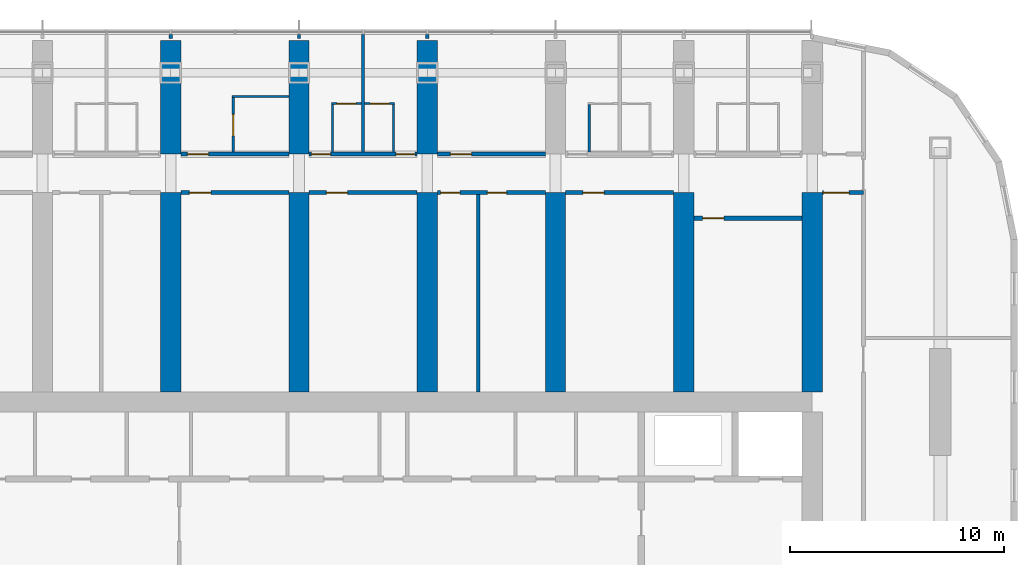
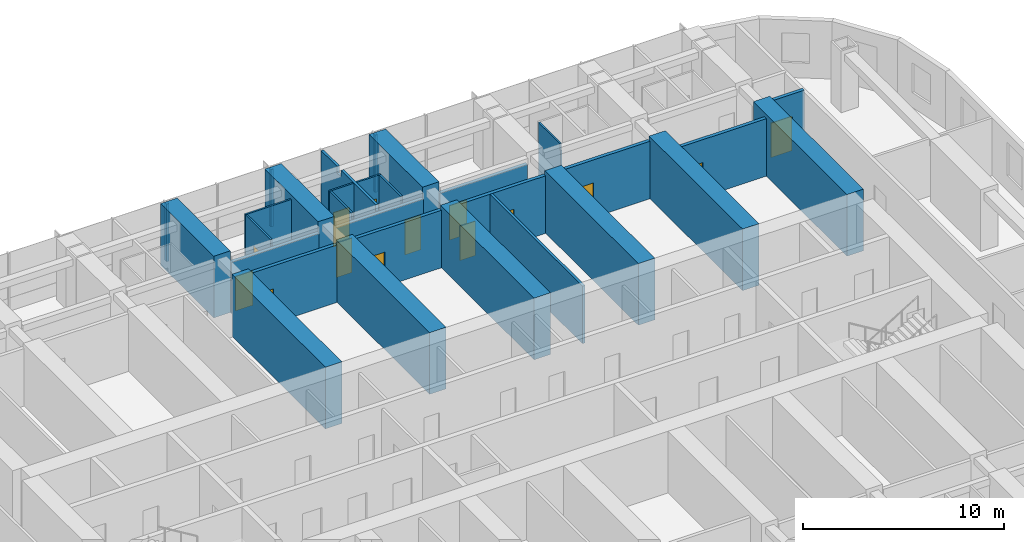
# One storey, part 14 of 21: 30 walls, 14 doors, 14 openings.
"""IFC4 building model written with IfcOpenShell, lengths in metres."""

from ifc_helpers import new_model, si_unit, direction, frame, frame_2d, origin, place, context, subcontext, project, spatial, polyline, rectangle, outline, extrude, material, layer, layer_set, type_object, element, fill, save


model = new_model("IFC4")

# Units and contexts
model_context = context("Model", 3, precision=1e-05, world=origin(), true_north=direction((0.0, 1.0)))
body_context = subcontext(model_context, "Body", "Model", "MODEL_VIEW")
ifc_project = project(units=[si_unit("LENGTHUNIT", "METRE"), si_unit("AREAUNIT", "SQUARE_METRE"), si_unit("VOLUMEUNIT", "CUBIC_METRE"), si_unit("PLANEANGLEUNIT", "RADIAN"), si_unit("MASSUNIT", "GRAM", prefix="KILO")], contexts=[model_context])

# Site, building, storey
site_placement = place(None, origin())
site = spatial("IfcSite", under=ifc_project, at=site_placement, CompositionType="ELEMENT")
building_placement = place(site_placement, origin())
building = spatial("IfcBuilding", under=site, at=building_placement, Name="Orbita Commons", CompositionType="ELEMENT")
storey_placement = place(building_placement, frame((0.0, 0.0, 91.89990234375)))
storey = spatial("IfcBuildingStorey", under=building, at=storey_placement, Name="L22", CompositionType="ELEMENT", Elevation=91.89990234375)

# Wall, opening, door
ifc_material_1 = material(Name="Concrete blockwork", Category="masonry")
ifc_layer_1 = layer(ifc_material_1, 0.199951171875)
ifc_layer_set_1 = layer_set([ifc_layer_1], Name="Concrete blockwork")
wall_type_1 = type_object("IfcWallType", Name="Corridor wall 200 blockwork", PredefinedType="SOLIDWALL", material=ifc_layer_set_1)
wall_1_placement = place(storey_placement, frame((36.47509765625, 49.800048828125, 0.0), z_axis=(0.0, 0.0, 1.0), x_axis=(1.0, 0.0, 0.0)))
wall_1 = element("IfcWall", 1, at=wall_1_placement, inside=storey, type_object=wall_type_1, Name="Corridor wall 200 blockwork L22", PredefinedType="SOLIDWALL", context=body_context, shape_type="SweptSolid", body=[
    extrude(outline(polyline([(0.0, 0.0), (5.0498046875, 0.0), (5.050048828125, 3.10009765625), (0.0, 3.10009765625), (0.0, 0.0)])), frame((0.0, 0.10009765625, 0.0), z_axis=(0.0, -1.0, 0.0), x_axis=(1.0, 0.0, 0.0)), (0.0, 0.0, 1.0), 0.199951171875),
])
opening_1_placement = place(wall_1_placement, frame((0.300048828125, 0.0, 0.0)))
opening_1 = element("IfcOpeningElement", 2, at=opening_1_placement, cuts=wall_1, Name="Opening D06", PredefinedType="OPENING", context=body_context, shape_type="SweptSolid", body=[
    extrude(rectangle(XDim=1.0, YDim=2.10009765625, at=frame_2d((0.5, 1.050048828125))), frame((0.0, 0.10986328125, 0.0), z_axis=(0.0, -1.0, 0.0), x_axis=(1.0, 0.0, 0.0)), (0.0, 0.0, 1.0), 0.219970703125),
])
ifc_material_2 = material(Name="Steel-faced fire door leaf", Category="steel")
door_type_1 = type_object("IfcDoorType", Name="Corridor door 20 min 1000x2100", OperationType="SINGLE_SWING_LEFT", PredefinedType="DOOR", material=ifc_material_2)
door_1_placement = place(opening_1_placement, origin())
door_1 = element("IfcDoor", 3, at=door_1_placement, inside=storey, type_object=door_type_1, Name="Accessible bedroom L22-N08 door", OperationType="SINGLE_SWING_LEFT", OverallHeight=2.10009765625, OverallWidth=1.0, PredefinedType="DOOR", context=body_context, shape_type="SweptSolid", body=[
    extrude(rectangle(XDim=1.0, YDim=2.10009765625, at=frame_2d((0.5, 1.050048828125))), frame((0.0, 0.02490234375, 0.0), z_axis=(0.0, -1.0, 0.0), x_axis=(1.0, 0.0, 0.0)), (0.0, 0.0, 1.0), 0.050048828125),
])
fill(opening_1, door_1)

# Wall, openings, doors
wall_2_placement = place(storey_placement, frame((42.47509765625, 49.800048828125, 0.0), z_axis=(0.0, 0.0, 1.0), x_axis=(1.0, 0.0, 0.0)))
wall_2 = element("IfcWall", 4, at=wall_2_placement, inside=storey, type_object=wall_type_1, Name="Corridor wall 200 blockwork L22", PredefinedType="SOLIDWALL", context=body_context, shape_type="SweptSolid", body=[
    extrude(outline(polyline([(0.0, 0.0), (5.0498046875, 0.0), (5.050048828125, 3.10009765625), (0.0, 3.10009765625), (0.0, 0.0)])), frame((0.0, 0.10009765625, 0.0), z_axis=(0.0, -1.0, 0.0), x_axis=(1.0, 0.0, 0.0)), (0.0, 0.0, 1.0), 0.199951171875),
])
opening_2_placement = place(wall_2_placement, frame((0.10009765625, 0.0, 0.0)))
opening_2 = element("IfcOpeningElement", 5, at=opening_2_placement, cuts=wall_2, Name="Opening D11", PredefinedType="OPENING", context=body_context, shape_type="SweptSolid", body=[
    extrude(rectangle(XDim=0.89990234375, YDim=2.10009765625, at=frame_2d((0.449951171875, 1.050048828125))), frame((0.0, 0.10986328125, 0.0), z_axis=(0.0, -1.0, 0.0), x_axis=(1.0, 0.0, 0.0)), (0.0, 0.0, 1.0), 0.219970703125),
])
opening_3_placement = place(wall_2_placement, frame((4.050048828125, 0.0, 0.0)))
opening_3 = element("IfcOpeningElement", 6, at=opening_3_placement, cuts=wall_2, Name="Opening D11", PredefinedType="OPENING", context=body_context, shape_type="SweptSolid", body=[
    extrude(rectangle(XDim=0.89990234375, YDim=2.10009765625, at=frame_2d((0.449951171875, 1.050048828125))), frame((0.0, 0.10986328125, 0.0), z_axis=(0.0, -1.0, 0.0), x_axis=(1.0, 0.0, 0.0)), (0.0, 0.0, 1.0), 0.219970703125),
])
ifc_material_3 = material(Name="Steel-faced fire door leaf", Category="steel")
door_type_2 = type_object("IfcDoorType", Name="Corridor door 20 min 900x2100", OperationType="SINGLE_SWING_LEFT", PredefinedType="DOOR", material=ifc_material_3)
door_2_placement = place(opening_2_placement, origin())
door_2 = element("IfcDoor", 7, at=door_2_placement, inside=storey, type_object=door_type_2, Name="Cluster bedroom L22-N10 door", OperationType="SINGLE_SWING_LEFT", OverallHeight=2.10009765625, OverallWidth=0.89990234375, PredefinedType="DOOR", context=body_context, shape_type="SweptSolid", body=[
    extrude(rectangle(XDim=0.89990234375, YDim=2.10009765625, at=frame_2d((0.449951171875, 1.050048828125))), frame((0.0, 0.02490234375, 0.0), z_axis=(0.0, -1.0, 0.0), x_axis=(1.0, 0.0, 0.0)), (0.0, 0.0, 1.0), 0.050048828125),
])
fill(opening_2, door_2)
door_3_placement = place(opening_3_placement, origin())
door_3 = element("IfcDoor", 8, at=door_3_placement, inside=storey, type_object=door_type_2, Name="Cluster bedroom L22-N11 door", OperationType="SINGLE_SWING_LEFT", OverallHeight=2.10009765625, OverallWidth=0.89990234375, PredefinedType="DOOR", context=body_context, shape_type="SweptSolid", body=[
    extrude(rectangle(XDim=0.89990234375, YDim=2.10009765625, at=frame_2d((0.449951171875, 1.050048828125))), frame((0.0, 0.02490234375, 0.0), z_axis=(0.0, -1.0, 0.0), x_axis=(1.0, 0.0, 0.0)), (0.0, 0.0, 1.0), 0.050048828125),
])
fill(opening_3, door_3)

# Wall, opening, door
wall_3_placement = place(storey_placement, frame((48.47509765625, 49.800048828125, 0.0), z_axis=(0.0, 0.0, 1.0), x_axis=(1.0, 0.0, 0.0)))
wall_3 = element("IfcWall", 9, at=wall_3_placement, inside=storey, type_object=wall_type_1, Name="Corridor wall 200 blockwork L22", PredefinedType="SOLIDWALL", context=body_context, shape_type="SweptSolid", body=[
    extrude(outline(polyline([(0.0, 0.0), (5.0498046875, 0.0), (5.050048828125, 3.10009765625), (0.0, 3.10009765625), (0.0, 0.0)])), frame((0.0, 0.10009765625, 0.0), z_axis=(0.0, -1.0, 0.0), x_axis=(1.0, 0.0, 0.0)), (0.0, 0.0, 1.0), 0.199951171875),
])
opening_4_placement = place(wall_3_placement, frame((0.60009765625, 0.0, 0.0)))
opening_4 = element("IfcOpeningElement", 10, at=opening_4_placement, cuts=wall_3, Name="Opening D06", PredefinedType="OPENING", context=body_context, shape_type="SweptSolid", body=[
    extrude(rectangle(XDim=1.0, YDim=2.10009765625, at=frame_2d((0.5, 1.050048828125))), frame((0.0, 0.10986328125, 0.0), z_axis=(0.0, -1.0, 0.0), x_axis=(1.0, 0.0, 0.0)), (0.0, 0.0, 1.0), 0.219970703125),
])
door_4_placement = place(opening_4_placement, origin())
door_4 = element("IfcDoor", 11, at=door_4_placement, inside=storey, type_object=door_type_1, Name="Cluster kitchen-diner L22-N12 door", OperationType="SINGLE_SWING_LEFT", OverallHeight=2.10009765625, OverallWidth=1.0, PredefinedType="DOOR", context=body_context, shape_type="SweptSolid", body=[
    extrude(rectangle(XDim=1.0, YDim=2.10009765625, at=frame_2d((0.5, 1.050048828125))), frame((0.0, 0.02490234375, 0.0), z_axis=(0.0, -1.0, 0.0), x_axis=(1.0, 0.0, 0.0)), (0.0, 0.0, 1.0), 0.050048828125),
])
fill(opening_4, door_4)

ifc_material_4 = material(Name="Hollow concrete block 200", Category="concrete")
ifc_layer_2 = layer(ifc_material_4, 0.199951171875)
ifc_layer_set_2 = layer_set([ifc_layer_2], Name="Hollow concrete block 200")
wall_type_2 = type_object("IfcWallType", Name="Corridor wall 200 hollow concrete block", PredefinedType="SOLIDWALL", material=ifc_layer_set_2)
wall_4_placement = place(storey_placement, frame((36.47509765625, 48.0, 0.0), z_axis=(0.0, 0.0, 1.0), x_axis=(1.0, 0.0, 0.0)))
wall_4 = element("IfcWall", 12, at=wall_4_placement, inside=storey, type_object=wall_type_2, Name="Corridor wall 200 hollow concrete block L22", PredefinedType="SOLIDWALL", context=body_context, shape_type="SweptSolid", body=[
    extrude(rectangle(XDim=5.0498046875, YDim=0.199951171875, at=frame_2d((2.52490234375, 0.0))), origin(), (0.0, 0.0, 1.0), 3.5),
])
opening_5_placement = place(wall_4_placement, frame((0.39990234375, 0.0, 0.0)))
opening_5 = element("IfcOpeningElement", 13, at=opening_5_placement, cuts=wall_4, Name="Opening D06", PredefinedType="OPENING", context=body_context, shape_type="SweptSolid", body=[
    extrude(rectangle(XDim=1.0, YDim=2.10009765625, at=frame_2d((0.5, 1.050048828125))), frame((0.0, 0.10986328125, 0.0), z_axis=(0.0, -1.0, 0.0), x_axis=(1.0, 0.0, 0.0)), (0.0, 0.0, 1.0), 0.219970703125),
])
door_5_placement = place(opening_5_placement, origin())
door_5 = element("IfcDoor", 14, at=door_5_placement, inside=storey, type_object=door_type_1, Name="Refuse and recycling room L22-BDN36 door", OperationType="SINGLE_SWING_LEFT", OverallHeight=2.10009765625, OverallWidth=1.0, PredefinedType="DOOR", context=body_context, shape_type="SweptSolid", body=[
    extrude(rectangle(XDim=1.0, YDim=2.10009765625, at=frame_2d((0.5, 1.050048828125))), frame((0.0, 0.02490234375, 0.0), z_axis=(0.0, -1.0, 0.0), x_axis=(1.0, 0.0, 0.0)), (0.0, 0.0, 1.0), 0.050048828125),
])
fill(opening_5, door_5)

wall_5_placement = place(storey_placement, frame((42.47509765625, 48.0, 0.0), z_axis=(0.0, 0.0, 1.0), x_axis=(1.0, 0.0, 0.0)))
wall_5 = element("IfcWall", 15, at=wall_5_placement, inside=storey, type_object=wall_type_2, Name="Corridor wall 200 hollow concrete block L22", PredefinedType="SOLIDWALL", context=body_context, shape_type="SweptSolid", body=[
    extrude(rectangle(XDim=5.0498046875, YDim=0.199951171875, at=frame_2d((2.52490234375, 0.0))), origin(), (0.0, 0.0, 1.0), 3.5),
])
opening_6_placement = place(wall_5_placement, frame((0.800048828125, 0.0, 0.0)))
opening_6 = element("IfcOpeningElement", 16, at=opening_6_placement, cuts=wall_5, Name="Opening D06", PredefinedType="OPENING", context=body_context, shape_type="SweptSolid", body=[
    extrude(rectangle(XDim=1.0, YDim=2.10009765625, at=frame_2d((0.5, 1.050048828125))), frame((0.0, 0.10986328125, 0.0), z_axis=(0.0, -1.0, 0.0), x_axis=(1.0, 0.0, 0.0)), (0.0, 0.0, 1.0), 0.219970703125),
])
door_6_placement = place(opening_6_placement, origin())
door_6 = element("IfcDoor", 17, at=door_6_placement, inside=storey, type_object=door_type_1, Name="Drying room L22-BDN42 door", OperationType="SINGLE_SWING_LEFT", OverallHeight=2.10009765625, OverallWidth=1.0, PredefinedType="DOOR", context=body_context, shape_type="SweptSolid", body=[
    extrude(rectangle(XDim=1.0, YDim=2.10009765625, at=frame_2d((0.5, 1.050048828125))), frame((0.0, 0.02490234375, 0.0), z_axis=(0.0, -1.0, 0.0), x_axis=(1.0, 0.0, 0.0)), (0.0, 0.0, 1.0), 0.050048828125),
])
fill(opening_6, door_6)

# Wall, openings, doors
wall_6_placement = place(storey_placement, frame((48.47509765625, 48.0, 0.0), z_axis=(0.0, 0.0, 1.0), x_axis=(1.0, 0.0, 0.0)))
wall_6 = element("IfcWall", 18, at=wall_6_placement, inside=storey, type_object=wall_type_2, Name="Corridor wall 200 hollow concrete block L22", PredefinedType="SOLIDWALL", context=body_context, shape_type="SweptSolid", body=[
    extrude(rectangle(XDim=5.0498046875, YDim=0.199951171875, at=frame_2d((2.52490234375, 0.0))), origin(), (0.0, 0.0, 1.0), 3.5),
])
opening_7_placement = place(wall_6_placement, frame((0.14990234375, 0.0, 0.0)))
opening_7 = element("IfcOpeningElement", 19, at=opening_7_placement, cuts=wall_6, Name="Opening D11", PredefinedType="OPENING", context=body_context, shape_type="SweptSolid", body=[
    extrude(rectangle(XDim=0.89990234375, YDim=2.10009765625, at=frame_2d((0.449951171875, 1.050048828125))), frame((0.0, 0.10986328125, 0.0), z_axis=(0.0, -1.0, 0.0), x_axis=(1.0, 0.0, 0.0)), (0.0, 0.0, 1.0), 0.219970703125),
])
opening_8_placement = place(wall_6_placement, frame((2.3349609375, 0.0, 0.0)))
opening_8 = element("IfcOpeningElement", 20, at=opening_8_placement, cuts=wall_6, Name="Opening D11", PredefinedType="OPENING", context=body_context, shape_type="SweptSolid", body=[
    extrude(rectangle(XDim=0.89990234375, YDim=2.10009765625, at=frame_2d((0.449951171875, 1.050048828125))), frame((0.0, 0.10986328125, 0.0), z_axis=(0.0, -1.0, 0.0), x_axis=(1.0, 0.0, 0.0)), (0.0, 0.0, 1.0), 0.219970703125),
])
door_7_placement = place(opening_7_placement, origin())
door_7 = element("IfcDoor", 21, at=door_7_placement, inside=storey, type_object=door_type_2, Name="Battery and UPS room L22-BDN48n door", OperationType="SINGLE_SWING_LEFT", OverallHeight=2.10009765625, OverallWidth=0.89990234375, PredefinedType="DOOR", context=body_context, shape_type="SweptSolid", body=[
    extrude(rectangle(XDim=0.89990234375, YDim=2.10009765625, at=frame_2d((0.449951171875, 1.050048828125))), frame((0.0, 0.02490234375, 0.0), z_axis=(0.0, -1.0, 0.0), x_axis=(1.0, 0.0, 0.0)), (0.0, 0.0, 1.0), 0.050048828125),
])
fill(opening_7, door_7)
door_8_placement = place(opening_8_placement, origin())
door_8 = element("IfcDoor", 22, at=door_8_placement, inside=storey, type_object=door_type_2, Name="Cleaners store L22-BDN48 door", OperationType="SINGLE_SWING_LEFT", OverallHeight=2.10009765625, OverallWidth=0.89990234375, PredefinedType="DOOR", context=body_context, shape_type="SweptSolid", body=[
    extrude(rectangle(XDim=0.89990234375, YDim=2.10009765625, at=frame_2d((0.449951171875, 1.050048828125))), frame((0.0, 0.02490234375, 0.0), z_axis=(0.0, -1.0, 0.0), x_axis=(1.0, 0.0, 0.0)), (0.0, 0.0, 1.0), 0.050048828125),
])
fill(opening_8, door_8)

# Wall, opening, door
wall_7_placement = place(storey_placement, frame((54.47509765625, 48.0, 0.0), z_axis=(0.0, 0.0, 1.0), x_axis=(1.0, 0.0, 0.0)))
wall_7 = element("IfcWall", 23, at=wall_7_placement, inside=storey, type_object=wall_type_2, Name="Corridor wall 200 hollow concrete block L22", PredefinedType="SOLIDWALL", context=body_context, shape_type="SweptSolid", body=[
    extrude(rectangle(XDim=5.0498046875, YDim=0.199951171875, at=frame_2d((2.52490234375, 0.0))), origin(), (0.0, 0.0, 1.0), 3.5),
])
opening_9_placement = place(wall_7_placement, frame((0.800048828125, 0.0, 0.0)))
opening_9 = element("IfcOpeningElement", 24, at=opening_9_placement, cuts=wall_7, Name="Opening D06", PredefinedType="OPENING", context=body_context, shape_type="SweptSolid", body=[
    extrude(rectangle(XDim=1.0, YDim=2.10009765625, at=frame_2d((0.5, 1.050048828125))), frame((0.0, 0.10986328125, 0.0), z_axis=(0.0, -1.0, 0.0), x_axis=(1.0, 0.0, 0.0)), (0.0, 0.0, 1.0), 0.219970703125),
])
door_9_placement = place(opening_9_placement, origin())
door_9 = element("IfcDoor", 25, at=door_9_placement, inside=storey, type_object=door_type_1, Name="Store L22-BDN54 door", OperationType="SINGLE_SWING_LEFT", OverallHeight=2.10009765625, OverallWidth=1.0, PredefinedType="DOOR", context=body_context, shape_type="SweptSolid", body=[
    extrude(rectangle(XDim=1.0, YDim=2.10009765625, at=frame_2d((0.5, 1.050048828125))), frame((0.0, 0.02490234375, 0.0), z_axis=(0.0, -1.0, 0.0), x_axis=(1.0, 0.0, 0.0)), (0.0, 0.0, 1.0), 0.050048828125),
])
fill(opening_9, door_9)

wall_8_placement = place(storey_placement, frame((66.47509765625, 48.0, 0.0), z_axis=(0.0, 0.0, 1.0), x_axis=(1.0, 0.0, 0.0)))
wall_8 = element("IfcWall", 26, at=wall_8_placement, inside=storey, type_object=wall_type_2, Name="Corridor wall 200 hollow concrete block L22", PredefinedType="SOLIDWALL", context=body_context, shape_type="SweptSolid", body=[
    extrude(rectangle(XDim=1.9248046875, YDim=0.199951171875, at=frame_2d((0.96240234375, 0.0))), origin(), (0.0, 0.0, 1.0), 3.5),
])
opening_10_placement = place(wall_8_placement, frame((0.050048828125, 0.0, 0.0)))
opening_10 = element("IfcOpeningElement", 27, at=opening_10_placement, cuts=wall_8, Name="Opening D12", PredefinedType="OPENING", context=body_context, shape_type="SweptSolid", body=[
    extrude(rectangle(XDim=1.199951171875, YDim=2.10009765625, at=frame_2d((0.60009765625, 1.050048828125))), frame((0.0, 0.10986328125, 0.0), z_axis=(0.0, -1.0, 0.0), x_axis=(1.0, 0.0, 0.0)), (0.0, 0.0, 1.0), 0.219970703125),
])
ifc_material_5 = material(Name="Steel-faced fire door leaf", Category="steel")
door_type_3 = type_object("IfcDoorType", Name="Double corridor door 20 min 1200x2100", OperationType="DOUBLE_DOOR_SINGLE_SWING", PredefinedType="DOOR", material=ifc_material_5)
door_10_placement = place(opening_10_placement, origin())
door_10 = element("IfcDoor", 28, at=door_10_placement, inside=storey, type_object=door_type_3, Name="Cross corridor doors", OperationType="DOUBLE_DOOR_SINGLE_SWING", OverallHeight=2.10009765625, OverallWidth=1.199951171875, PredefinedType="DOOR", context=body_context, shape_type="SweptSolid", body=[
    extrude(rectangle(XDim=1.199951171875, YDim=2.10009765625, at=frame_2d((0.60009765625, 1.050048828125))), frame((0.0, 0.02490234375, 0.0), z_axis=(0.0, -1.0, 0.0), x_axis=(1.0, 0.0, 0.0)), (0.0, 0.0, 1.0), 0.050048828125),
])
fill(opening_10, door_10)

wall_9_placement = place(storey_placement, frame((60.47509765625, 46.800048828125, 0.0), z_axis=(0.0, 0.0, 1.0), x_axis=(1.0, 0.0, 0.0)))
wall_9 = element("IfcWall", 29, at=wall_9_placement, inside=storey, type_object=wall_type_2, Name="Corridor wall 200 hollow concrete block L22", PredefinedType="SOLIDWALL", context=body_context, shape_type="SweptSolid", body=[
    extrude(rectangle(XDim=5.0498046875, YDim=0.199951171875, at=frame_2d((2.52490234375, 0.0))), origin(), (0.0, 0.0, 1.0), 3.5),
])
opening_11_placement = place(wall_9_placement, frame((0.39990234375, 0.0, 0.0)))
opening_11 = element("IfcOpeningElement", 30, at=opening_11_placement, cuts=wall_9, Name="Opening D06", PredefinedType="OPENING", context=body_context, shape_type="SweptSolid", body=[
    extrude(rectangle(XDim=1.0, YDim=2.10009765625, at=frame_2d((0.5, 1.050048828125))), frame((0.0, 0.10986328125, 0.0), z_axis=(0.0, -1.0, 0.0), x_axis=(1.0, 0.0, 0.0)), (0.0, 0.0, 1.0), 0.219970703125),
])
door_11_placement = place(opening_11_placement, origin())
door_11 = element("IfcDoor", 31, at=door_11_placement, inside=storey, type_object=door_type_1, Name="Storage lockers L22-BDN60 door", OperationType="SINGLE_SWING_LEFT", OverallHeight=2.10009765625, OverallWidth=1.0, PredefinedType="DOOR", context=body_context, shape_type="SweptSolid", body=[
    extrude(rectangle(XDim=1.0, YDim=2.10009765625, at=frame_2d((0.5, 1.050048828125))), frame((0.0, 0.02490234375, 0.0), z_axis=(0.0, -1.0, 0.0), x_axis=(1.0, 0.0, 0.0)), (0.0, 0.0, 1.0), 0.050048828125),
])
fill(opening_11, door_11)

# Walls
ifc_material_6 = material(Name="Concrete C50/60", Category="concrete")
ifc_layer_3 = layer(ifc_material_6, 0.949951171875)
ifc_layer_set_3 = layer_set([ifc_layer_3], Name="Concrete C50/60")
wall_type_3 = type_object("IfcWallType", Name="Cross wall 950 C50/60", PredefinedType="SHEAR", material=ifc_layer_set_3)
wall_10_placement = place(storey_placement, frame((36.0, 49.800048828125, 0.0), z_axis=(0.0, 0.0, 1.0), x_axis=(0.0, 1.0, 0.0)))
element("IfcWall", 32, at=wall_10_placement, inside=storey, type_object=wall_type_3, Name="Cross wall 7 north outer L22", PredefinedType="SHEAR", context=body_context, shape_type="SweptSolid", body=[
    extrude(rectangle(XDim=5.300048828125, YDim=0.949951171875, at=frame_2d((2.64990234375, 0.0))), origin(), (0.0, 0.0, 1.0), 3.75),
])
wall_11_placement = place(storey_placement, frame((36.0, 38.675048828125, 0.0), z_axis=(0.0, 0.0, 1.0), x_axis=(0.0, 1.0, 0.0)))
element("IfcWall", 33, at=wall_11_placement, inside=storey, type_object=wall_type_3, Name="Cross wall 7 north inner L22", PredefinedType="SHEAR", context=body_context, shape_type="SweptSolid", body=[
    extrude(rectangle(XDim=9.324951171875, YDim=0.949951171875, at=frame_2d((4.66259765625, 0.0))), origin(), (0.0, 0.0, 1.0), 3.75),
])
wall_12_placement = place(storey_placement, frame((42.0, 49.800048828125, 0.0), z_axis=(0.0, 0.0, 1.0), x_axis=(0.0, 1.0, 0.0)))
element("IfcWall", 34, at=wall_12_placement, inside=storey, type_object=wall_type_3, Name="Cross wall 8 north outer L22", PredefinedType="SHEAR", context=body_context, shape_type="SweptSolid", body=[
    extrude(rectangle(XDim=5.300048828125, YDim=0.949951171875, at=frame_2d((2.64990234375, 0.0))), origin(), (0.0, 0.0, 1.0), 3.75),
])
wall_13_placement = place(storey_placement, frame((42.0, 38.675048828125, 0.0), z_axis=(0.0, 0.0, 1.0), x_axis=(0.0, 1.0, 0.0)))
element("IfcWall", 35, at=wall_13_placement, inside=storey, type_object=wall_type_3, Name="Cross wall 8 north inner L22", PredefinedType="SHEAR", context=body_context, shape_type="SweptSolid", body=[
    extrude(rectangle(XDim=9.324951171875, YDim=0.949951171875, at=frame_2d((4.66259765625, 0.0))), origin(), (0.0, 0.0, 1.0), 3.75),
])
wall_14_placement = place(storey_placement, frame((48.0, 49.800048828125, 0.0), z_axis=(0.0, 0.0, 1.0), x_axis=(0.0, 1.0, 0.0)))
element("IfcWall", 36, at=wall_14_placement, inside=storey, type_object=wall_type_3, Name="Cross wall 9 north outer L22", PredefinedType="SHEAR", context=body_context, shape_type="SweptSolid", body=[
    extrude(rectangle(XDim=5.300048828125, YDim=0.949951171875, at=frame_2d((2.64990234375, 0.0))), origin(), (0.0, 0.0, 1.0), 3.75),
])
for number, where, z_axis, x_axis, name in (
    (37, (48.0, 38.675048828125, 0.0), (0.0, 0.0, 1.0), (0.0, 1.0, 0.0), "Cross wall 9 north inner L22"),
    (38, (54.0, 38.675048828125, 0.0), (0.0, 0.0, 1.0), (0.0, 1.0, 0.0), "Cross wall 10 north inner L22"),
    (39, (60.0, 38.675048828125, 0.0), (0.0, 0.0, 1.0), (0.0, 1.0, 0.0), "Cross wall 11 north inner L22"),
    (40, (66.0, 38.675048828125, 0.0), (0.0, 0.0, 1.0), (0.0, 1.0, 0.0), "Cross wall 12 north inner L22"),
):
    element("IfcWall", number, at=place(storey_placement, frame(where, z_axis=z_axis, x_axis=x_axis)), inside=storey, type_object=wall_type_3, Name=name, PredefinedType="SHEAR", context=body_context, shape_type="SweptSolid", body=[
        extrude(rectangle(XDim=9.324951171875, YDim=0.949951171875, at=frame_2d((4.66259765625, 0.0))), origin(), (0.0, 0.0, 1.0), 3.75),
    ])
ifc_material_7 = material(Name="Moisture-resistant plasterboard on steel studs", Category="steel")
ifc_layer_4 = layer(ifc_material_7, 0.10009765625)
ifc_layer_set_4 = layer_set([ifc_layer_4], Name="Moisture-resistant plasterboard on steel studs")
wall_type_4 = type_object("IfcWallType", Name="En-suite partition 100", PredefinedType="PARTITIONING", material=ifc_layer_set_4)
wall_15_placement = place(storey_placement, frame((38.875, 52.5, 0.0), z_axis=(0.0, 0.0, 1.0), x_axis=(1.0, 0.0, 0.0)))
element("IfcWall", 41, at=wall_15_placement, inside=storey, type_object=wall_type_4, Name="En-suite partition 100 L22", PredefinedType="PARTITIONING", context=body_context, shape_type="SweptSolid", body=[
    extrude(rectangle(XDim=2.64990234375, YDim=0.10009765625, at=frame_2d((1.324951171875, 0.0))), origin(), (0.0, 0.0, 1.0), 3.5),
])

# Wall, opening, door
wall_16_placement = place(storey_placement, frame((38.925048828125, 52.449951171875, 0.0), z_axis=(0.0, 0.0, 1.0), x_axis=(0.0, -1.0, 0.0)))
wall_16 = element("IfcWall", 42, at=wall_16_placement, inside=storey, type_object=wall_type_4, Name="En-suite partition 100 L22", PredefinedType="PARTITIONING", context=body_context, shape_type="SweptSolid", body=[
    extrude(outline(polyline([(0.0, 0.0), (2.550048828125, 0.0), (2.550048828125, 3.10009765625), (2.501953125, 3.10009765625), (2.5, 3.5), (0.0, 3.5), (0.0, 0.0)])), frame((0.0, 0.050048828125, 0.0), z_axis=(0.0, -1.0, 0.0), x_axis=(1.0, 0.0, 0.0)), (0.0, 0.0, 1.0), 0.10009765625),
])
opening_12_placement = place(wall_16_placement, frame((0.800048828125, 0.0, 0.0)))
opening_12 = element("IfcOpeningElement", 43, at=opening_12_placement, cuts=wall_16, Name="Opening D13", PredefinedType="OPENING", context=body_context, shape_type="SweptSolid", body=[
    extrude(rectangle(XDim=1.0, YDim=2.10009765625, at=frame_2d((0.5, 1.050048828125))), frame((0.0, 0.06005859375, 0.0), z_axis=(0.0, -1.0, 0.0), x_axis=(1.0, 0.0, 0.0)), (0.0, 0.0, 1.0), 0.1201171875),
])
ifc_material_8 = material(Name="Laminated timber door leaf", Category="wood")
door_type_4 = type_object("IfcDoorType", Name="En-suite door 1000x2100", OperationType="SINGLE_SWING_RIGHT", PredefinedType="DOOR", material=ifc_material_8)
door_12_placement = place(opening_12_placement, origin())
door_12 = element("IfcDoor", 44, at=door_12_placement, inside=storey, type_object=door_type_4, Name="Accessible shower room L22-N08 door", OperationType="SINGLE_SWING_RIGHT", OverallHeight=2.10009765625, OverallWidth=1.0, PredefinedType="DOOR", context=body_context, shape_type="SweptSolid", body=[
    extrude(rectangle(XDim=1.0, YDim=2.10009765625, at=frame_2d((0.5, 1.050048828125))), frame((0.0, 0.02490234375, 0.0), z_axis=(0.0, -1.0, 0.0), x_axis=(1.0, 0.0, 0.0)), (0.0, 0.0, 1.0), 0.050048828125),
])
fill(opening_12, door_12)

wall_17_placement = place(storey_placement, frame((43.52490234375, 52.1591796875, 0.0), z_axis=(0.0, 0.0, 1.0), x_axis=(1.0, 0.0, 0.0)))
wall_17 = element("IfcWall", 45, at=wall_17_placement, inside=storey, type_object=wall_type_4, Name="En-suite partition 100 L22", PredefinedType="PARTITIONING", context=body_context, shape_type="SweptSolid", body=[
    extrude(rectangle(XDim=1.400146484375, YDim=0.10009765625, at=frame_2d((0.7001953125, 0.0))), origin(), (0.0, 0.0, 1.0), 3.5),
])
opening_13_placement = place(wall_17_placement, frame((0.25, 0.0, 0.0)))
opening_13 = element("IfcOpeningElement", 46, at=opening_13_placement, cuts=wall_17, Name="Opening D09", PredefinedType="OPENING", context=body_context, shape_type="SweptSolid", body=[
    extrude(rectangle(XDim=0.89990234375, YDim=2.10009765625, at=frame_2d((0.449951171875, 1.050048828125))), frame((0.0, 0.06005859375, 0.0), z_axis=(0.0, -1.0, 0.0), x_axis=(1.0, 0.0, 0.0)), (0.0, 0.0, 1.0), 0.1201171875),
])
ifc_material_9 = material(Name="Laminated timber door leaf", Category="wood")
door_type_5 = type_object("IfcDoorType", Name="En-suite door 900x2100", OperationType="SINGLE_SWING_RIGHT", PredefinedType="DOOR", material=ifc_material_9)
door_13_placement = place(opening_13_placement, origin())
door_13 = element("IfcDoor", 47, at=door_13_placement, inside=storey, type_object=door_type_5, Name="En-suite L22-N10 door", OperationType="SINGLE_SWING_RIGHT", OverallHeight=2.10009765625, OverallWidth=0.89990234375, PredefinedType="DOOR", context=body_context, shape_type="SweptSolid", body=[
    extrude(rectangle(XDim=0.89990234375, YDim=2.10009765625, at=frame_2d((0.449951171875, 1.050048828125))), frame((0.0, 0.02490234375, 0.0), z_axis=(0.0, -1.0, 0.0), x_axis=(1.0, 0.0, 0.0)), (0.0, 0.0, 1.0), 0.050048828125),
])
fill(opening_13, door_13)

# Wall
wall_18_placement = place(storey_placement, frame((43.574951171875, 52.109375, 0.0), z_axis=(0.0, 0.0, 1.0), x_axis=(0.0, -1.0, 0.0)))
element("IfcWall", 48, at=wall_18_placement, inside=storey, type_object=wall_type_4, Name="En-suite partition 100 L22", PredefinedType="PARTITIONING", context=body_context, shape_type="SweptSolid", body=[
    extrude(outline(polyline([(0.0, 0.0), (2.20947265625, 0.0), (2.209228515625, 3.10009765625), (2.161376953125, 3.10009765625), (2.1591796875, 3.5), (0.0, 3.5), (0.0, 0.0)])), frame((0.0, 0.050048828125, 0.0), z_axis=(0.0, -1.0, 0.0), x_axis=(1.0, 0.0, 0.0)), (0.0, 0.0, 1.0), 0.10009765625),
])

# Wall, opening, door
wall_19_placement = place(storey_placement, frame((45.074951171875, 52.1591796875, 0.0), z_axis=(0.0, 0.0, 1.0), x_axis=(1.0, 0.0, 0.0)))
wall_19 = element("IfcWall", 49, at=wall_19_placement, inside=storey, type_object=wall_type_4, Name="En-suite partition 100 L22", PredefinedType="PARTITIONING", context=body_context, shape_type="SweptSolid", body=[
    extrude(rectangle(XDim=1.400146484375, YDim=0.10009765625, at=frame_2d((0.7001953125, 0.0))), origin(), (0.0, 0.0, 1.0), 3.5),
])
opening_14_placement = place(wall_19_placement, frame((0.25, 0.0, 0.0)))
opening_14 = element("IfcOpeningElement", 50, at=opening_14_placement, cuts=wall_19, Name="Opening D09", PredefinedType="OPENING", context=body_context, shape_type="SweptSolid", body=[
    extrude(rectangle(XDim=0.89990234375, YDim=2.10009765625, at=frame_2d((0.449951171875, 1.050048828125))), frame((0.0, 0.06005859375, 0.0), z_axis=(0.0, -1.0, 0.0), x_axis=(1.0, 0.0, 0.0)), (0.0, 0.0, 1.0), 0.1201171875),
])
door_14_placement = place(opening_14_placement, origin())
door_14 = element("IfcDoor", 51, at=door_14_placement, inside=storey, type_object=door_type_5, Name="En-suite L22-N11 door", OperationType="SINGLE_SWING_RIGHT", OverallHeight=2.10009765625, OverallWidth=0.89990234375, PredefinedType="DOOR", context=body_context, shape_type="SweptSolid", body=[
    extrude(rectangle(XDim=0.89990234375, YDim=2.10009765625, at=frame_2d((0.449951171875, 1.050048828125))), frame((0.0, 0.02490234375, 0.0), z_axis=(0.0, -1.0, 0.0), x_axis=(1.0, 0.0, 0.0)), (0.0, 0.0, 1.0), 0.050048828125),
])
fill(opening_14, door_14)

# Walls
for number, where, z_axis, x_axis, name in (
    (52, (46.425048828125, 52.109375, 0.0), (0.0, 0.0, 1.0), (0.0, -1.0, 0.0), "En-suite partition 100 L22"),
    (53, (55.574951171875, 52.109375, 0.0), (0.0, 0.0, 1.0), (0.0, -1.0, 0.0), "En-suite partition 100 L22"),
):
    element("IfcWall", number, at=place(storey_placement, frame(where, z_axis=z_axis, x_axis=x_axis)), inside=storey, type_object=wall_type_4, Name=name, PredefinedType="PARTITIONING", context=body_context, shape_type="SweptSolid", body=[
        extrude(outline(polyline([(0.0, 0.0), (2.20947265625, 0.0), (2.209228515625, 3.10009765625), (2.161376953125, 3.10009765625), (2.1591796875, 3.5), (0.0, 3.5), (0.0, 0.0)])), frame((0.0, 0.050048828125, 0.0), z_axis=(0.0, -1.0, 0.0), x_axis=(1.0, 0.0, 0.0)), (0.0, 0.0, 1.0), 0.10009765625),
    ])
ifc_material_10 = material(Name="Gypsum plasterboard on steel studs", Category="steel")
ifc_layer_5 = layer(ifc_material_10, 0.14990234375)
ifc_layer_set_5 = layer_set([ifc_layer_5], Name="Gypsum plasterboard on steel studs")
wall_type_5 = type_object("IfcWallType", Name="Partition 150 plasterboard", PredefinedType="PARTITIONING", material=ifc_layer_set_5)
wall_20_placement = place(storey_placement, frame((50.385009765625, 38.675048828125, 0.0), z_axis=(0.0, 0.0, 1.0), x_axis=(0.0, 1.0, 0.0)))
element("IfcWall", 54, at=wall_20_placement, inside=storey, type_object=wall_type_5, Name="Partition 150 plasterboard L22", PredefinedType="PARTITIONING", context=body_context, shape_type="SweptSolid", body=[
    extrude(rectangle(XDim=9.224853515625, YDim=0.14990234375, at=frame_2d((4.6123046875, 0.0))), origin(), (0.0, 0.0, 1.0), 3.5),
])
for number, where, z_axis, x_axis, name in (
    (55, (36.0, 55.199951171875, 0.0), (0.0, 0.0, 1.0), (0.0, 1.0, 0.0), "Partition 150 plasterboard L22"),
    (56, (42.0, 55.199951171875, 0.0), (0.0, 0.0, 1.0), (0.0, 1.0, 0.0), "Partition 150 plasterboard L22"),
    (57, (48.0, 55.199951171875, 0.0), (0.0, 0.0, 1.0), (0.0, 1.0, 0.0), "Partition 150 plasterboard L22"),
):
    element("IfcWall", number, at=place(storey_placement, frame(where, z_axis=z_axis, x_axis=x_axis)), inside=storey, type_object=wall_type_5, Name=name, PredefinedType="PARTITIONING", context=body_context, shape_type="SweptSolid", body=[
        extrude(rectangle(XDim=0.18994140625, YDim=0.14990234375, at=frame_2d((0.094970703125, 0.0))), origin(), (0.0, 0.0, 1.0), 3.5),
    ])
ifc_material_11 = material(Name="Gypsum plasterboard on steel studs", Category="steel")
ifc_layer_6 = layer(ifc_material_11, 0.14990234375)
ifc_layer_set_6 = layer_set([ifc_layer_6], Name="Gypsum plasterboard on steel studs")
wall_type_6 = type_object("IfcWallType", Name="Party wall 150 plasterboard", PredefinedType="PARTITIONING", material=ifc_layer_set_6)
wall_21_placement = place(storey_placement, frame((45.0, 55.389892578125, 0.0), z_axis=(0.0, 0.0, 1.0), x_axis=(0.0, -1.0, 0.0)))
element("IfcWall", 58, at=wall_21_placement, inside=storey, type_object=wall_type_6, Name="Party wall 150 plasterboard L22", PredefinedType="PARTITIONING", context=body_context, shape_type="SweptSolid", body=[
    extrude(outline(polyline([(0.0, 0.0), (5.489990234375, 0.0), (5.489990234375, 3.10009765625), (5.44189453125, 3.10009765625), (5.43994140625, 3.5), (1.991943359375, 3.5), (1.989990234375, 3.10009765625), (1.592041015625, 3.10009765625), (1.590087890625, 3.5), (0.0, 3.5), (0.0, 0.0)])), frame((0.0, 0.074951171875, 0.0), z_axis=(0.0, -1.0, 0.0), x_axis=(1.0, 0.0, 0.0)), (0.0, 0.0, 1.0), 0.14990234375),
])

save(model, "model.ifc")
